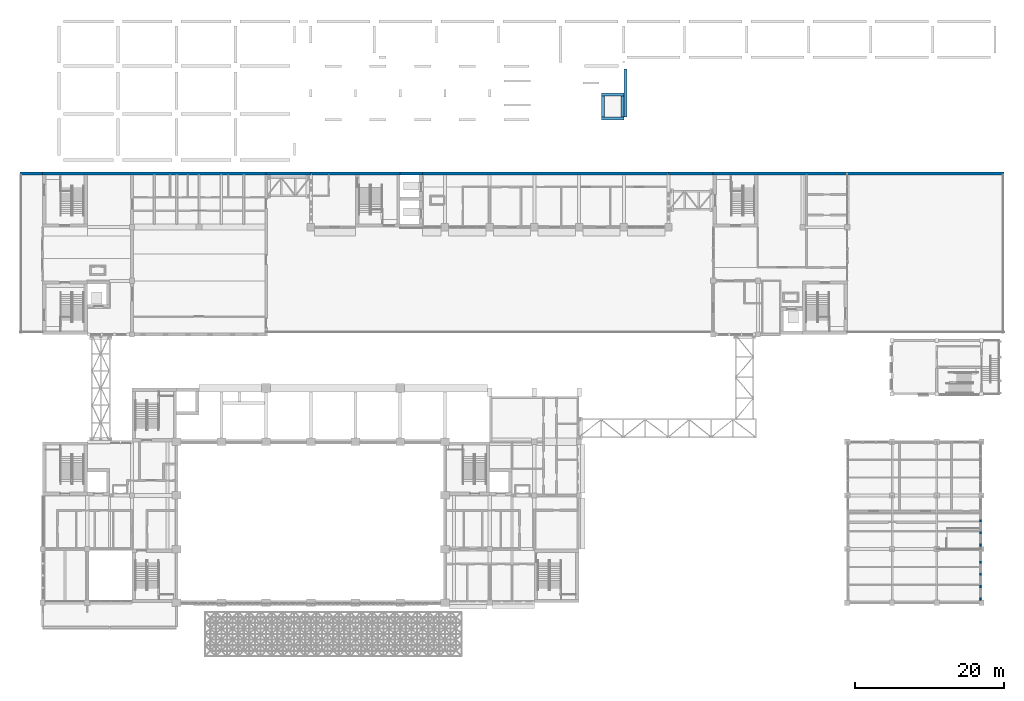
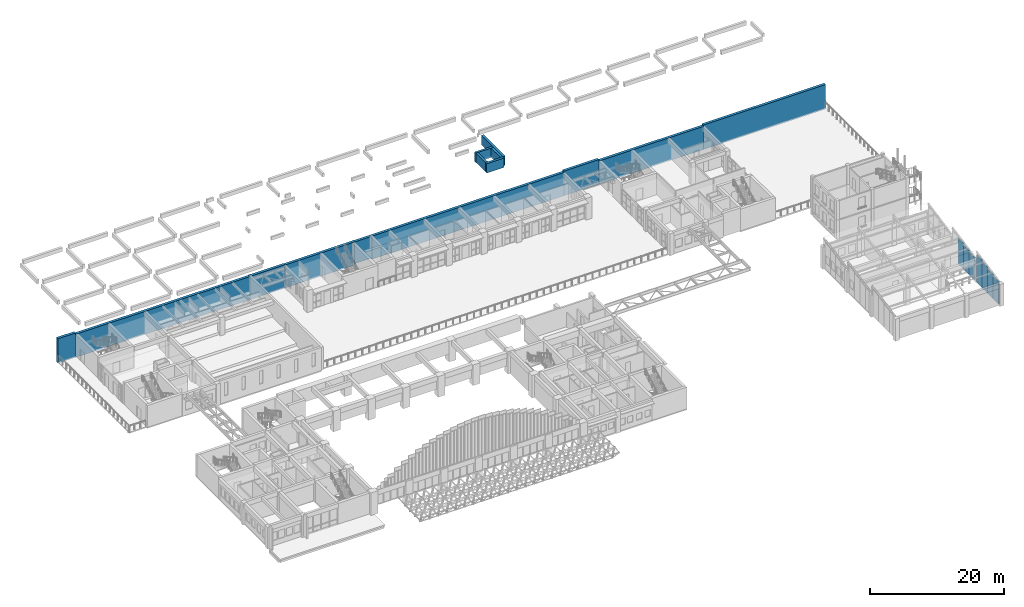
# One storey, part 73 of 103: 21 walls.
"""IFC4 building model written with IfcOpenShell, lengths in metres."""

from ifc_helpers import new_model, si_unit, direction, frame, frame_2d, origin, place, context, subcontext, project, spatial, rectangle, extrude, material, layer, layer_set, type_object, element, save


model = new_model("IFC4")

# Units and contexts
model_context = context("Model", 3, precision=1e-05, world=origin(), true_north=direction((0.0, 1.0)))
body_context = subcontext(model_context, "Body", "Model", "MODEL_VIEW")
ifc_project = project(units=[si_unit("LENGTHUNIT", "METRE"), si_unit("AREAUNIT", "SQUARE_METRE"), si_unit("VOLUMEUNIT", "CUBIC_METRE"), si_unit("PLANEANGLEUNIT", "RADIAN"), si_unit("MASSUNIT", "GRAM", prefix="KILO")], contexts=[model_context])

# Site, building, storey
site_placement = place(None, origin())
site = spatial("IfcSite", under=ifc_project, at=site_placement, CompositionType="ELEMENT")
building_placement = place(site_placement, origin())
building = spatial("IfcBuilding", under=site, at=building_placement, Name="Laocheng Heights Fire and Rescue Headquarters", CompositionType="ELEMENT")
storey_placement = place(building_placement, frame((0.0, 0.0, 4.199951171875)))
storey = spatial("IfcBuildingStorey", under=building, at=storey_placement, Name="L01", CompositionType="ELEMENT", Elevation=4.199951171875)

# Walls
ifc_material_1 = material(Name="Aluminium profiled sheet cladding on insulated steel liner", Category="steel")
ifc_layer_1 = layer(ifc_material_1, 0.199951171875)
ifc_layer_set_1 = layer_set([ifc_layer_1], Name="Aluminium profiled sheet cladding on insulated steel liner")
wall_type_1 = type_object("IfcWallType", Name="PROFILED METAL CLAD WALL 200 WORKSHOP", PredefinedType="SOLIDWALL", material=ifc_layer_set_1)
wall_1_placement = place(storey_placement, frame((125.89990234375, 0.35009765625, 0.0), z_axis=(0.0, 0.0, 1.0), x_axis=(0.0, 1.0, 0.0)))
element("IfcWall", 1, at=wall_1_placement, inside=storey, type_object=wall_type_1, Name="Workshop wall L01", PredefinedType="SOLIDWALL", context=body_context, shape_type="SweptSolid", body=[
    extrude(rectangle(XDim=1.625, YDim=0.199951171875, at=frame_2d((0.8125, 0.0))), origin(), (0.0, 0.0, 1.0), 4.059326171875),
])
wall_2_placement = place(storey_placement, frame((125.89990234375, 1.97509765625, 0.0), z_axis=(0.0, 0.0, 1.0), x_axis=(0.0, 1.0, 0.0)))
element("IfcWall", 2, at=wall_2_placement, inside=storey, type_object=wall_type_1, Name="Workshop wall L01", PredefinedType="SOLIDWALL", context=body_context, shape_type="SweptSolid", body=[
    extrude(rectangle(XDim=1.625, YDim=0.199951171875, at=frame_2d((0.8125, 0.0))), origin(), (0.0, 0.0, 1.0), 4.375244140625),
])
wall_3_placement = place(storey_placement, frame((125.89990234375, 3.60009765625, 0.0), z_axis=(0.0, 0.0, 1.0), x_axis=(0.0, 1.0, 0.0)))
element("IfcWall", 3, at=wall_3_placement, inside=storey, type_object=wall_type_1, Name="Workshop wall L01", PredefinedType="SOLIDWALL", context=body_context, shape_type="SweptSolid", body=[
    extrude(rectangle(XDim=1.625, YDim=0.199951171875, at=frame_2d((0.8125, 0.0))), origin(), (0.0, 0.0, 1.0), 4.69140625),
])
wall_4_placement = place(storey_placement, frame((125.89990234375, 5.22509765625, 0.0), z_axis=(0.0, 0.0, 1.0), x_axis=(0.0, 1.0, 0.0)))
element("IfcWall", 4, at=wall_4_placement, inside=storey, type_object=wall_type_1, Name="Workshop wall L01", PredefinedType="SOLIDWALL", context=body_context, shape_type="SweptSolid", body=[
    extrude(rectangle(XDim=1.625, YDim=0.199951171875, at=frame_2d((0.8125, 0.0))), origin(), (0.0, 0.0, 1.0), 5.00732421875),
])
wall_5_placement = place(storey_placement, frame((125.89990234375, 7.550048828125, 0.0), z_axis=(0.0, 0.0, 1.0), x_axis=(0.0, 1.0, 0.0)))
element("IfcWall", 5, at=wall_5_placement, inside=storey, type_object=wall_type_1, Name="Workshop wall L01", PredefinedType="SOLIDWALL", context=body_context, shape_type="SweptSolid", body=[
    extrude(rectangle(XDim=1.625, YDim=0.199951171875, at=frame_2d((0.8125, 0.0))), origin(), (0.0, 0.0, 1.0), 4.059326171875),
])
wall_6_placement = place(storey_placement, frame((125.89990234375, 9.175048828125, 0.0), z_axis=(0.0, 0.0, 1.0), x_axis=(0.0, 1.0, 0.0)))
element("IfcWall", 6, at=wall_6_placement, inside=storey, type_object=wall_type_1, Name="Workshop wall L01", PredefinedType="SOLIDWALL", context=body_context, shape_type="SweptSolid", body=[
    extrude(rectangle(XDim=1.625, YDim=0.199951171875, at=frame_2d((0.8125, 0.0))), origin(), (0.0, 0.0, 1.0), 4.375244140625),
])
wall_7_placement = place(storey_placement, frame((125.89990234375, 10.800048828125, 0.0), z_axis=(0.0, 0.0, 1.0), x_axis=(0.0, 1.0, 0.0)))
element("IfcWall", 7, at=wall_7_placement, inside=storey, type_object=wall_type_1, Name="Workshop wall L01", PredefinedType="SOLIDWALL", context=body_context, shape_type="SweptSolid", body=[
    extrude(rectangle(XDim=1.625, YDim=0.199951171875, at=frame_2d((0.8125, 0.0))), origin(), (0.0, 0.0, 1.0), 4.69140625),
])
ifc_material_2 = material(Name="Concrete C40", Category="concrete")
ifc_layer_2 = layer(ifc_material_2, 0.39990234375)
ifc_layer_set_2 = layer_set([ifc_layer_2], Name="Concrete C40")
wall_type_2 = type_object("IfcWallType", Name="RC LIFT PIT WALL 400", PredefinedType="SHEAR", material=ifc_layer_set_2)
for number, where, z_axis, x_axis, name in (
    (8, (75.0, 65.0, 2.5), (0.0, 0.0, 1.0), (1.0, 0.0, 0.0), "Lift pit wall"),
    (9, (75.0, 68.199951171875, 2.5), (0.0, 0.0, 1.0), (1.0, 0.0, 0.0), "Lift pit wall"),
):
    element("IfcWall", number, at=place(storey_placement, frame(where, z_axis=z_axis, x_axis=x_axis)), inside=storey, type_object=wall_type_2, Name=name, PredefinedType="SHEAR", context=body_context, shape_type="SweptSolid", body=[
        extrude(rectangle(XDim=3.0, YDim=0.39990234375, at=frame_2d((1.5, 0.0))), origin(), (0.0, 0.0, 1.0), 1.699951171875),
    ])
for number, where, z_axis, x_axis, name in (
    (10, (75.199951171875, 65.199951171875, 2.5), (0.0, 0.0, 1.0), (0.0, 1.0, 0.0), "Lift pit wall"),
    (11, (77.800048828125, 65.199951171875, 2.5), (0.0, 0.0, 1.0), (0.0, 1.0, 0.0), "Lift pit wall"),
):
    element("IfcWall", number, at=place(storey_placement, frame(where, z_axis=z_axis, x_axis=x_axis)), inside=storey, type_object=wall_type_2, Name=name, PredefinedType="SHEAR", context=body_context, shape_type="SweptSolid", body=[
        extrude(rectangle(XDim=2.800048828125, YDim=0.39990234375, at=frame_2d((1.39990234375, 0.0))), origin(), (0.0, 0.0, 1.0), 1.699951171875),
    ])
ifc_material_3 = material(Name="Concrete C40", Category="concrete")
ifc_layer_3 = layer(ifc_material_3, 0.449951171875)
ifc_layer_set_3 = layer_set([ifc_layer_3], Name="Concrete C40")
wall_type_3 = type_object("IfcWallType", Name="RC RETAINING WALL 450", PredefinedType="SOLIDWALL", material=ifc_layer_set_3)
wall_8_placement = place(storey_placement, frame((-3.0, 57.60009765625, -0.25), z_axis=(0.0, 0.0, 1.0), x_axis=(1.0, 0.0, 0.0)))
element("IfcWall", 12, at=wall_8_placement, inside=storey, type_object=wall_type_3, Name="Retaining wall RW2 -3 to 0", PredefinedType="SOLIDWALL", context=body_context, shape_type="SweptSolid", body=[
    extrude(rectangle(XDim=3.0, YDim=0.449951171875, at=frame_2d((1.5, 0.0))), origin(), (0.0, 0.0, 1.0), 4.449951171875),
])
wall_9_placement = place(storey_placement, frame((0.0, 57.60009765625, -0.25), z_axis=(0.0, 0.0, 1.0), x_axis=(1.0, 0.0, 0.0)))
element("IfcWall", 13, at=wall_9_placement, inside=storey, type_object=wall_type_3, Name="Retaining wall RW2 0 to 30", PredefinedType="SOLIDWALL", context=body_context, shape_type="SweptSolid", body=[
    extrude(rectangle(XDim=30.0, YDim=0.449951171875, at=frame_2d((15.0, 0.0))), origin(), (0.0, 0.0, 1.0), 4.199951171875),
])
wall_10_placement = place(storey_placement, frame((30.0, 57.60009765625, -0.25), z_axis=(0.0, 0.0, 1.0), x_axis=(1.0, 0.0, 0.0)))
element("IfcWall", 14, at=wall_10_placement, inside=storey, type_object=wall_type_3, Name="Retaining wall RW2 30 to 36", PredefinedType="SOLIDWALL", context=body_context, shape_type="SweptSolid", body=[
    extrude(rectangle(XDim=6.0, YDim=0.449951171875, at=frame_2d((3.0, 0.0))), origin(), (0.0, 0.0, 1.0), 4.25),
])
wall_11_placement = place(storey_placement, frame((36.0, 57.60009765625, -0.25), z_axis=(0.0, 0.0, 1.0), x_axis=(1.0, 0.0, 0.0)))
element("IfcWall", 15, at=wall_11_placement, inside=storey, type_object=wall_type_3, Name="Retaining wall RW2 36 to 48", PredefinedType="SOLIDWALL", context=body_context, shape_type="SweptSolid", body=[
    extrude(rectangle(XDim=12.0, YDim=0.449951171875, at=frame_2d((6.0, 0.0))), origin(), (0.0, 0.0, 1.0), 4.199951171875),
])
wall_12_placement = place(storey_placement, frame((48.0, 57.60009765625, 0.0), z_axis=(0.0, 0.0, 1.0), x_axis=(1.0, 0.0, 0.0)))
element("IfcWall", 16, at=wall_12_placement, inside=storey, type_object=wall_type_3, Name="Retaining wall RW2 48 to 51", PredefinedType="SOLIDWALL", context=body_context, shape_type="SweptSolid", body=[
    extrude(rectangle(XDim=3.0, YDim=0.449951171875, at=frame_2d((1.5, 0.0))), origin(), (0.0, 0.0, 1.0), 3.949951171875),
])
wall_13_placement = place(storey_placement, frame((51.0, 57.60009765625, -0.25), z_axis=(0.0, 0.0, 1.0), x_axis=(1.0, 0.0, 0.0)))
element("IfcWall", 17, at=wall_13_placement, inside=storey, type_object=wall_type_3, Name="Retaining wall RW2 51 to 84", PredefinedType="SOLIDWALL", context=body_context, shape_type="SweptSolid", body=[
    extrude(rectangle(XDim=33.0, YDim=0.449951171875, at=frame_2d((16.5, 0.0))), origin(), (0.0, 0.0, 1.0), 4.199951171875),
])
wall_14_placement = place(storey_placement, frame((84.0, 57.60009765625, -0.25), z_axis=(0.0, 0.0, 1.0), x_axis=(1.0, 0.0, 0.0)))
element("IfcWall", 18, at=wall_14_placement, inside=storey, type_object=wall_type_3, Name="Retaining wall RW2 84 to 90", PredefinedType="SOLIDWALL", context=body_context, shape_type="SweptSolid", body=[
    extrude(rectangle(XDim=6.0, YDim=0.449951171875, at=frame_2d((3.0, 0.0))), origin(), (0.0, 0.0, 1.0), 4.449951171875),
])
wall_15_placement = place(storey_placement, frame((90.0, 57.60009765625, -0.25), z_axis=(0.0, 0.0, 1.0), x_axis=(1.0, 0.0, 0.0)))
element("IfcWall", 19, at=wall_15_placement, inside=storey, type_object=wall_type_3, Name="Retaining wall RW2 90 to 108", PredefinedType="SOLIDWALL", context=body_context, shape_type="SweptSolid", body=[
    extrude(rectangle(XDim=18.0, YDim=0.449951171875, at=frame_2d((9.0, 0.0))), origin(), (0.0, 0.0, 1.0), 4.199951171875),
])
wall_16_placement = place(storey_placement, frame((108.0, 57.60009765625, -0.25), z_axis=(0.0, 0.0, 1.0), x_axis=(1.0, 0.0, 0.0)))
element("IfcWall", 20, at=wall_16_placement, inside=storey, type_object=wall_type_3, Name="Retaining wall RW2 108 to 129", PredefinedType="SOLIDWALL", context=body_context, shape_type="SweptSolid", body=[
    extrude(rectangle(XDim=21.0, YDim=0.449951171875, at=frame_2d((10.5, 0.0))), origin(), (0.0, 0.0, 1.0), 4.449951171875),
])
ifc_material_4 = material(Name="Concrete C40", Category="concrete")
ifc_layer_4 = layer(ifc_material_4, 0.39990234375)
ifc_layer_set_4 = layer_set([ifc_layer_4], Name="Concrete C40")
wall_type_4 = type_object("IfcWallType", Name="STAIR KERB WALL 400", PredefinedType="SOLIDWALL", material=ifc_layer_set_4)
wall_17_placement = place(storey_placement, frame((78.199951171875, 65.199951171875, 2.5), z_axis=(0.0, 0.0, 1.0), x_axis=(0.0, 1.0, 0.0)))
element("IfcWall", 21, at=wall_17_placement, inside=storey, type_object=wall_type_4, Name="Stair kerb wall", PredefinedType="SOLIDWALL", context=body_context, shape_type="SweptSolid", body=[
    extrude(rectangle(XDim=6.400146484375, YDim=0.39990234375, at=frame_2d((3.2001953125, 0.0))), origin(), (0.0, 0.0, 1.0), 1.699951171875),
])

save(model, "model.ifc")
